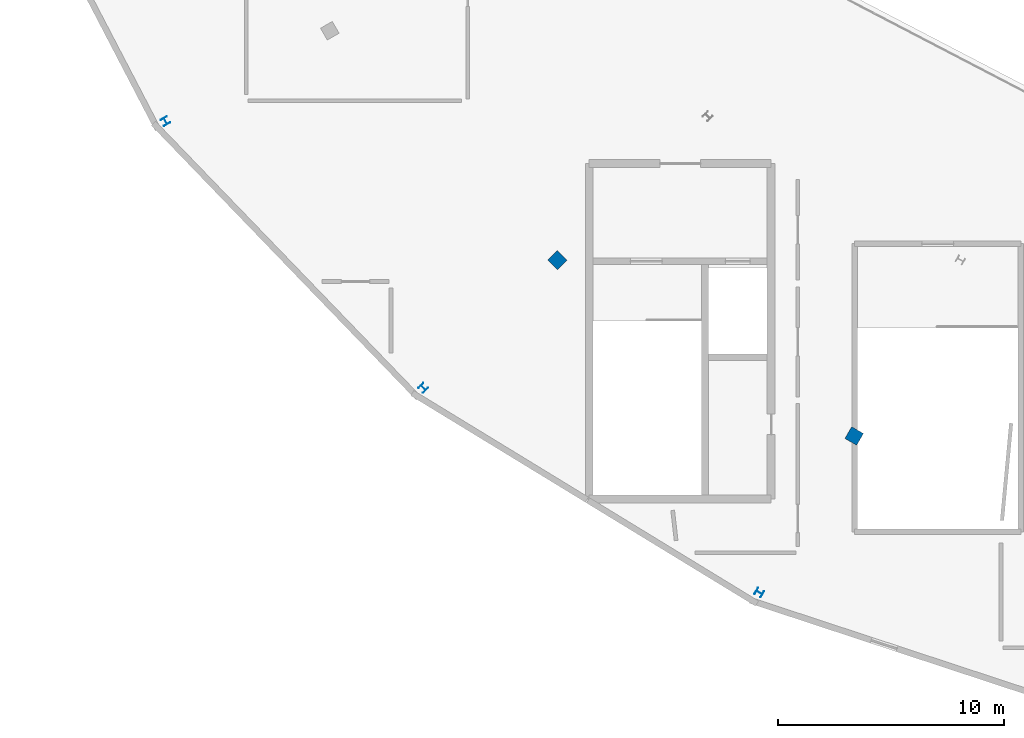
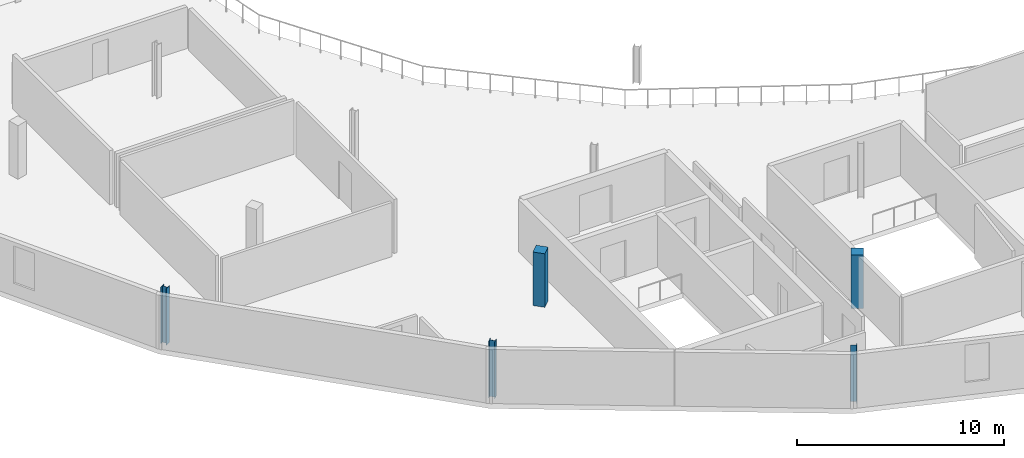
# One storey, part 1 of 35: 5 columns.
"""IFC4 building model written with IfcOpenShell, lengths in metres."""

from ifc_helpers import new_model, si_unit, direction, frame, origin, origin_2d, place, context, subcontext, project, spatial, rectangle, i_section, extrude, material, material_profile, profile_set, type_object, element, save


model = new_model("IFC4")

# Units and contexts
model_context = context("Model", 3, precision=1e-05, world=origin(), true_north=direction((0.0, 1.0)))
body_context = subcontext(model_context, "Body", "Model", "MODEL_VIEW")
ifc_project = project(units=[si_unit("LENGTHUNIT", "METRE"), si_unit("AREAUNIT", "SQUARE_METRE"), si_unit("VOLUMEUNIT", "CUBIC_METRE"), si_unit("PLANEANGLEUNIT", "RADIAN"), si_unit("MASSUNIT", "GRAM", prefix="KILO")], contexts=[model_context])

# Site, building, storey
site_placement = place(None, origin())
site = spatial("IfcSite", under=ifc_project, at=site_placement, CompositionType="ELEMENT")
building_placement = place(site_placement, origin())
building = spatial("IfcBuilding", under=site, at=building_placement, Name="Kalgoora Escarpment Arena", CompositionType="ELEMENT")
storey_placement = place(building_placement, frame((0.0, 0.0, 23.39990234375)))
storey = spatial("IfcBuildingStorey", under=building, at=storey_placement, Name="L05", CompositionType="ELEMENT", Elevation=23.39990234375)

# Columns
ifc_material_1 = material(Name="Structural steel AS/NZS 3679 (300 MPa)", Category="steel")
ifc_material_profile_1 = material_profile(ifc_material_1, i_section(OverallWidth=0.30908203125, OverallDepth=0.321044921875, WebThickness=0.013916015625, FlangeThickness=0.021728515625, at=origin_2d()))
ifc_profile_set_1 = profile_set([ifc_material_profile_1], Name="Structural steel AS/NZS 3679 (300 MPa)")
column_type_1 = type_object("IfcColumnType", Name="COL-COL-310UC137", PredefinedType="COLUMN", material=ifc_profile_set_1)
for number, where, z_axis, x_axis, name in (
    (1, (30.219482421875, 35.5, 0.0), (0.0, 0.0, 1.0), (-0.866025403784, -0.5, 0.0), "L05 structural column COL-RCONC2-R15"),
    (2, (41.629638671875, 23.69482421875, 0.0), (0.0, 0.0, 1.0), (-0.707106781187, -0.707106781187, 0.0), "L05 structural column COL-RCONC2-R16"),
    (3, (56.5, 14.63671875, 0.0), (0.0, 0.0, 1.0), (-0.5, -0.866025403784, 0.0), "L05 structural column COL-RCONC2-R17"),
):
    element("IfcColumn", number, at=place(storey_placement, frame(where, z_axis=z_axis, x_axis=x_axis)), inside=storey, type_object=column_type_1, Name=name, PredefinedType="COLUMN", context=body_context, shape_type="SweptSolid", body=[
        extrude(i_section(OverallWidth=0.30908203125, OverallDepth=0.321044921875, WebThickness=0.013916015625, FlangeThickness=0.021728515625, at=origin_2d()), origin(), (0.0, 0.0, 1.0), 3.320068359375),
    ])
ifc_material_2 = material(Name="Concrete N50 (fc' 50 MPa)", Category="concrete")
ifc_material_profile_2 = material_profile(ifc_material_2, rectangle(XDim=0.60009765625, YDim=0.60009765625, at=origin_2d()))
ifc_profile_set_2 = profile_set([ifc_material_profile_2], Name="Concrete N50 (fc' 50 MPa)")
column_type_2 = type_object("IfcColumnType", Name="COL-COL-RC600x600", PredefinedType="COLUMN", material=ifc_profile_set_2)
for number, where, z_axis, x_axis, name in (
    (4, (47.5693359375, 29.351806640625, 0.0), (0.0, 0.0, 1.0), (-0.707106781187, -0.707106781187, 0.0), "L05 structural column COL-RCONC1-R16"),
    (5, (60.699951171875, 21.564697265625, 0.0), (0.0, 0.0, 1.0), (-0.5, -0.866025403784, 0.0), "L05 structural column COL-RCONC1-R17"),
):
    element("IfcColumn", number, at=place(storey_placement, frame(where, z_axis=z_axis, x_axis=x_axis)), inside=storey, type_object=column_type_2, Name=name, PredefinedType="COLUMN", context=body_context, shape_type="SweptSolid", body=[
        extrude(rectangle(XDim=0.60009765625, YDim=0.60009765625, at=origin_2d()), origin(), (0.0, 0.0, 1.0), 3.150146484375),
    ])

save(model, "model.ifc")
